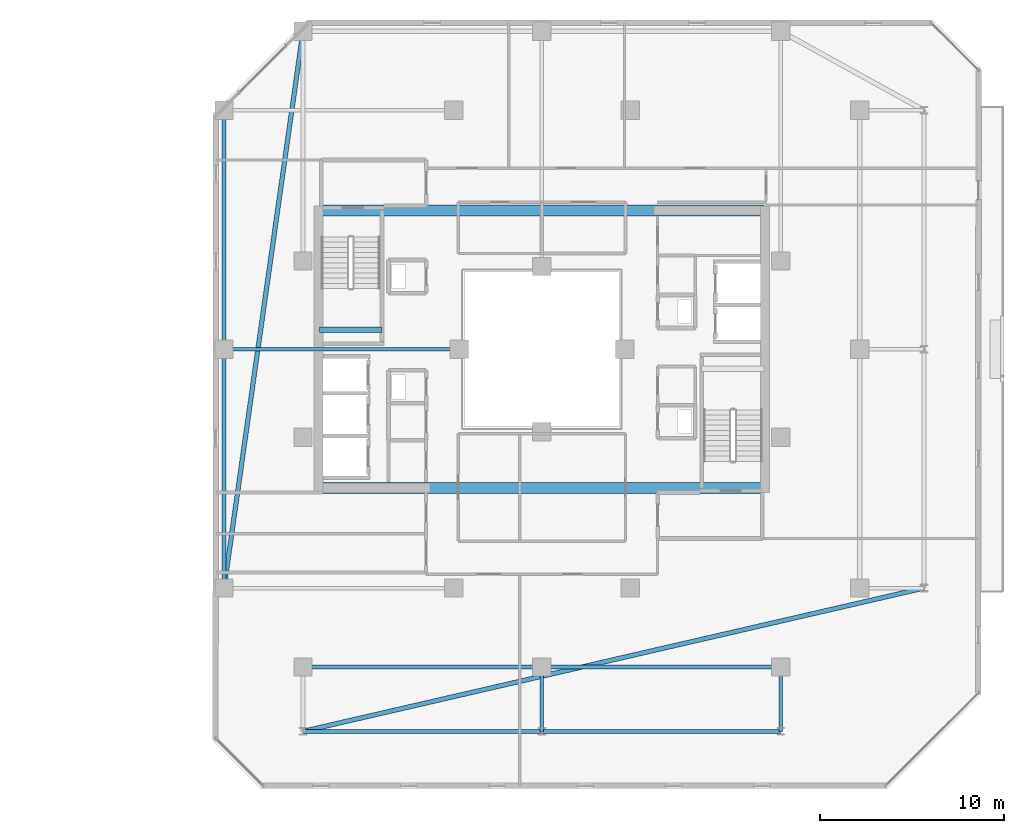
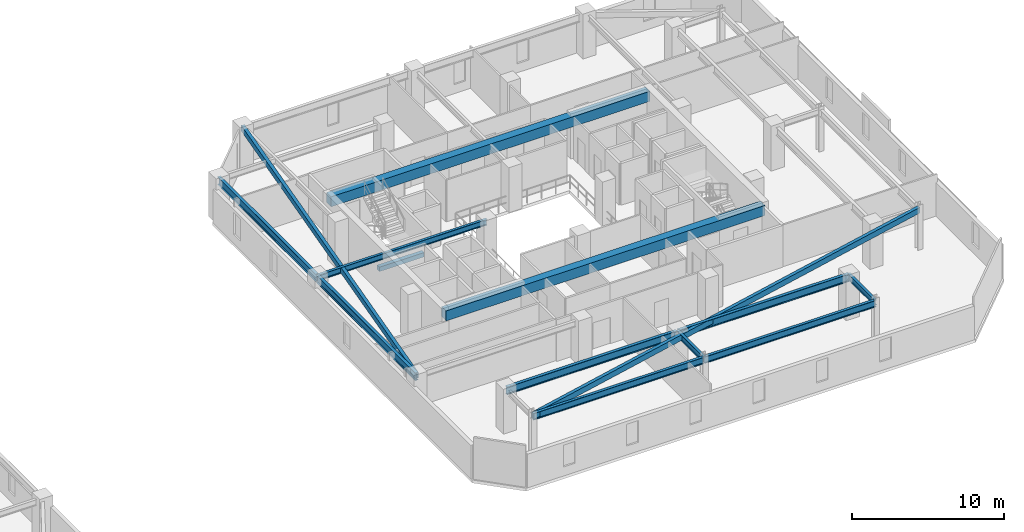
# One storey, part 11 of 32: 14 beams.
"""IFC4 building model written with IfcOpenShell, lengths in metres."""

from ifc_helpers import new_model, si_unit, direction, frame, origin, origin_2d, place, context, subcontext, project, spatial, rectangle, hollow_rectangle, i_section, extrude, material, material_profile, profile_set, type_object, element, save


model = new_model("IFC4")

# Units and contexts
model_context = context("Model", 3, precision=1e-05, world=origin(), true_north=direction((0.0, 1.0)))
body_context = subcontext(model_context, "Body", "Model", "MODEL_VIEW")
ifc_project = project(units=[si_unit("LENGTHUNIT", "METRE"), si_unit("AREAUNIT", "SQUARE_METRE"), si_unit("VOLUMEUNIT", "CUBIC_METRE"), si_unit("PLANEANGLEUNIT", "RADIAN"), si_unit("MASSUNIT", "GRAM", prefix="KILO")], contexts=[model_context])

# Site, building, storey
site_placement = place(None, origin())
site = spatial("IfcSite", under=ifc_project, at=site_placement, CompositionType="ELEMENT")
building_placement = place(site_placement, origin())
building = spatial("IfcBuilding", under=site, at=building_placement, Name="Thornwick Lancets Civic Towers", CompositionType="ELEMENT")
storey_placement = place(building_placement, frame((0.0, 0.0, 243.89990234375)))
storey = spatial("IfcBuildingStorey", under=building, at=storey_placement, Name="L65", CompositionType="ELEMENT", Elevation=243.89990234375)

# Beams
ifc_material_1 = material(Name="Concrete C60/75", Category="concrete")
ifc_material_profile_1 = material_profile(ifc_material_1, rectangle(XDim=0.60009765625, YDim=0.800048828125, at=origin_2d()), Name="RC 600x800")
ifc_profile_set_1 = profile_set([ifc_material_profile_1], Name="Concrete C60/75")
beam_type_1 = type_object("IfcBeamType", Name="BM_COUP_RC800", PredefinedType="BEAM", material=ifc_profile_set_1)
for number, where, z_axis, x_axis, name in (
    (1, (76.39990234375, 34.550048828125, 2.960205078125), (1.0, 0.0, 0.0), (0.0, 1.0, 0.0), "CB-L65-B1"),
    (2, (76.39990234375, 19.449951171875, 2.960205078125), (1.0, 0.0, 0.0), (0.0, 1.0, 0.0), "CB-L65-B2"),
):
    element("IfcBeam", number, at=place(storey_placement, frame(where, z_axis=z_axis, x_axis=x_axis)), inside=storey, type_object=beam_type_1, Name=name, PredefinedType="BEAM", context=body_context, shape_type="SweptSolid", body=[
        extrude(rectangle(XDim=0.60009765625, YDim=0.800048828125, at=origin_2d()), origin(), (0.0, 0.0, 1.0), 24.2001953125),
    ])
ifc_material_2 = material(Name="Steel S355JR", Category="steel")
ifc_material_profile_2 = material_profile(ifc_material_2, i_section(OverallWidth=0.210693359375, OverallDepth=0.53955078125, WebThickness=0.01171875, FlangeThickness=0.018798828125, FilletRadius=0.0126953125, at=origin_2d()), Name="UKB 533x210x109")
ifc_profile_set_2 = profile_set([ifc_material_profile_2], Name="Steel S355JR")
beam_type_2 = type_object("IfcBeamType", Name="BM_EDGE_533_109", PredefinedType="SPANDREL", material=ifc_profile_set_2)
beam_1_placement = place(storey_placement, frame((101.5, 6.199951171875, 3.09033203125), z_axis=(-1.0, 0.0, 0.0), x_axis=(0.0, -1.0, 0.0)))
element("IfcBeam", 3, at=beam_1_placement, inside=storey, type_object=beam_type_2, Name="BM-EDGE-L65-B-S3-1", PredefinedType="SPANDREL", context=body_context, shape_type="SweptSolid", body=[
    extrude(i_section(OverallWidth=0.210693359375, OverallDepth=0.53955078125, WebThickness=0.01171875, FlangeThickness=0.018798828125, FilletRadius=0.0126953125, at=origin_2d()), origin(), (0.0, 0.0, 1.0), 13.0),
])
beam_2_placement = place(storey_placement, frame((88.419921875, 6.199951171875, 3.09033203125), z_axis=(-1.0, 0.0, 0.0), x_axis=(0.0, -1.0, 0.0)))
element("IfcBeam", 4, at=beam_2_placement, inside=storey, type_object=beam_type_2, Name="BM-EDGE-L65-B-S3-2", PredefinedType="SPANDREL", context=body_context, shape_type="SweptSolid", body=[
    extrude(i_section(OverallWidth=0.210693359375, OverallDepth=0.53955078125, WebThickness=0.01171875, FlangeThickness=0.018798828125, FilletRadius=0.0126953125, at=origin_2d()), origin(), (0.0, 0.0, 1.0), 12.919921875),
])
ifc_material_profile_3 = material_profile(ifc_material_2, i_section(OverallWidth=0.230224609375, OverallDepth=0.6171875, WebThickness=0.01318359375, FlangeThickness=0.022216796875, FilletRadius=0.0126953125, at=origin_2d()), Name="UKB 610x229x140")
ifc_profile_set_3 = profile_set([ifc_material_profile_3], Name="Steel S355JR")
beam_type_3 = type_object("IfcBeamType", Name="BM_GIRD_610_140", PredefinedType="BEAM", material=ifc_profile_set_3)
beam_3_placement = place(storey_placement, frame((71.199951171875, 14.0, 3.051513671875), z_axis=(0.0, 1.0, 0.0), x_axis=(-1.0, 0.0, 0.0)))
element("IfcBeam", 5, at=beam_3_placement, inside=storey, type_object=beam_type_3, Name="BM-SPINE-L65-B-6-7", PredefinedType="BEAM", context=body_context, shape_type="SweptSolid", body=[
    extrude(i_section(OverallWidth=0.230224609375, OverallDepth=0.6171875, WebThickness=0.01318359375, FlangeThickness=0.022216796875, FilletRadius=0.0126953125, at=origin_2d()), origin(), (0.0, 0.0, 1.0), 13.0),
])
beam_4_placement = place(storey_placement, frame((71.199951171875, 27.080078125, 3.051513671875), z_axis=(0.0, 1.0, 0.0), x_axis=(-1.0, 0.0, 0.0)))
element("IfcBeam", 6, at=beam_4_placement, inside=storey, type_object=beam_type_3, Name="BM-SPINE-L65-B-7-8", PredefinedType="BEAM", context=body_context, shape_type="SweptSolid", body=[
    extrude(i_section(OverallWidth=0.230224609375, OverallDepth=0.6171875, WebThickness=0.01318359375, FlangeThickness=0.022216796875, FilletRadius=0.0126953125, at=origin_2d()), origin(), (0.0, 0.0, 1.0), 12.919921875),
])
beam_5_placement = place(storey_placement, frame((101.5, 9.699951171875, 3.051513671875), z_axis=(-1.0, 0.0, 0.0), x_axis=(0.0, -1.0, 0.0)))
element("IfcBeam", 7, at=beam_5_placement, inside=storey, type_object=beam_type_3, Name="BM-SPINE-L65-B-9-10", PredefinedType="BEAM", context=body_context, shape_type="SweptSolid", body=[
    extrude(i_section(OverallWidth=0.230224609375, OverallDepth=0.6171875, WebThickness=0.01318359375, FlangeThickness=0.022216796875, FilletRadius=0.0126953125, at=origin_2d()), origin(), (0.0, 0.0, 1.0), 13.0),
])
beam_6_placement = place(storey_placement, frame((88.419921875, 9.699951171875, 3.051513671875), z_axis=(-1.0, 0.0, 0.0), x_axis=(0.0, -1.0, 0.0)))
element("IfcBeam", 8, at=beam_6_placement, inside=storey, type_object=beam_type_3, Name="BM-SPINE-L65-B-10-11", PredefinedType="BEAM", context=body_context, shape_type="SweptSolid", body=[
    extrude(i_section(OverallWidth=0.230224609375, OverallDepth=0.6171875, WebThickness=0.01318359375, FlangeThickness=0.022216796875, FilletRadius=0.0126953125, at=origin_2d()), origin(), (0.0, 0.0, 1.0), 12.919921875),
])
ifc_material_profile_4 = material_profile(ifc_material_2, i_section(OverallWidth=0.19287109375, OverallDepth=0.46728515625, WebThickness=0.011474609375, FlangeThickness=0.01953125, FilletRadius=0.01025390625, at=origin_2d()), Name="UKB 457x191x98")
ifc_profile_set_4 = profile_set([ifc_material_profile_4], Name="Steel S355JR")
beam_type_4 = type_object("IfcBeamType", Name="BM_JOIST_457_98", PredefinedType="JOIST", material=ifc_profile_set_4)
beam_7_placement = place(storey_placement, frame((84.0, 27.0, 3.12646484375), z_axis=(-1.0, 0.0, 0.0), x_axis=(0.0, -1.0, 0.0)))
element("IfcBeam", 9, at=beam_7_placement, inside=storey, type_object=beam_type_4, Name="BM-RADIN-L65-B08", PredefinedType="JOIST", context=body_context, shape_type="SweptSolid", body=[
    extrude(i_section(OverallWidth=0.19287109375, OverallDepth=0.46728515625, WebThickness=0.011474609375, FlangeThickness=0.01953125, FilletRadius=0.01025390625, at=origin_2d()), origin(), (0.0, 0.0, 1.0), 12.800048828125),
])
for number, where, z_axis, x_axis, name in (
    (10, (101.5, 9.699951171875, 3.12646484375), (0.0, -1.0, 0.0), (1.0, 0.0, 0.0), "BM-RAD-L65-B10"),
    (11, (88.5, 9.699951171875, 3.12646484375), (0.0, -1.0, 0.0), (1.0, 0.0, 0.0), "BM-RAD-L65-B11"),
):
    element("IfcBeam", number, at=place(storey_placement, frame(where, z_axis=z_axis, x_axis=x_axis)), inside=storey, type_object=beam_type_4, Name=name, PredefinedType="JOIST", context=body_context, shape_type="SweptSolid", body=[
        extrude(i_section(OverallWidth=0.19287109375, OverallDepth=0.46728515625, WebThickness=0.011474609375, FlangeThickness=0.01953125, FilletRadius=0.01025390625, at=origin_2d()), origin(), (0.0, 0.0, 1.0), 3.5),
    ])
ifc_material_profile_5 = material_profile(ifc_material_2, hollow_rectangle(XDim=0.25, YDim=0.449951171875, WallThickness=0.01611328125, at=origin_2d()), Name="RHS 450x250x16")
ifc_profile_set_5 = profile_set([ifc_material_profile_5], Name="Steel S355JR")
beam_type_5 = type_object("IfcBeamType", Name="BM_RING_RHS450", PredefinedType="BEAM", material=ifc_profile_set_5)
beam_8_placement = place(storey_placement, frame((75.5, 44.300048828125, 3.135009765625), z_axis=(-0.140507712682, -0.990079584012, 0.0), x_axis=(0.990079584012, -0.140507712682, 0.0)))
element("IfcBeam", 12, at=beam_8_placement, inside=storey, type_object=beam_type_5, Name="BM-CHAMF-L65-B-C1", PredefinedType="BEAM", context=body_context, shape_type="SweptSolid", body=[
    extrude(hollow_rectangle(XDim=0.25, YDim=0.449951171875, WallThickness=0.01611328125, at=origin_2d()), origin(), (0.0, 0.0, 1.0), 30.603759765625),
])
beam_9_placement = place(storey_placement, frame((75.5, 6.199951171875, 3.135009765625), z_axis=(0.974390958454, 0.224860534737, 0.0), x_axis=(-0.224860534737, 0.974390958454, 0.0)))
element("IfcBeam", 13, at=beam_9_placement, inside=storey, type_object=beam_type_5, Name="BM-CHAMF-L65-B-C3", PredefinedType="BEAM", context=body_context, shape_type="SweptSolid", body=[
    extrude(hollow_rectangle(XDim=0.25, YDim=0.449951171875, WallThickness=0.01611328125, at=origin_2d()), origin(), (0.0, 0.0, 1.0), 34.6884765625),
])
ifc_material_3 = material(Name="Concrete C40/50", Category="concrete")
ifc_material_profile_6 = material_profile(ifc_material_3, rectangle(XDim=0.300048828125, YDim=0.35009765625, at=origin_2d()), Name="RC 300x350")
ifc_profile_set_6 = profile_set([ifc_material_profile_6], Name="Concrete C40/50")
beam_type_6 = type_object("IfcBeamType", Name="BM_STAIR_LDG", PredefinedType="BEAM", material=ifc_profile_set_6)
beam_10_placement = place(storey_placement, frame((76.39990234375, 28.06494140625, 1.378173828125), z_axis=(1.0, 0.0, 0.0), x_axis=(0.0, 1.0, 0.0)))
element("IfcBeam", 14, at=beam_10_placement, inside=storey, type_object=beam_type_6, Name="L65 ST-B2 Landing Support Beam 1", PredefinedType="BEAM", context=body_context, shape_type="SweptSolid", body=[
    extrude(rectangle(XDim=0.300048828125, YDim=0.35009765625, at=origin_2d()), origin(), (0.0, 0.0, 1.0), 3.400146484375),
])

save(model, "model.ifc")
